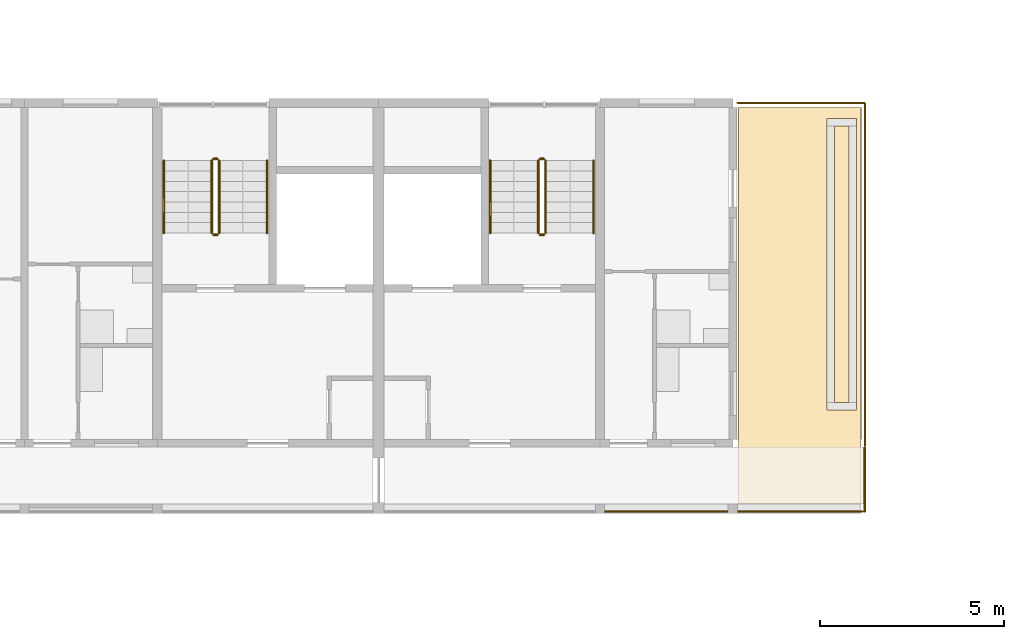
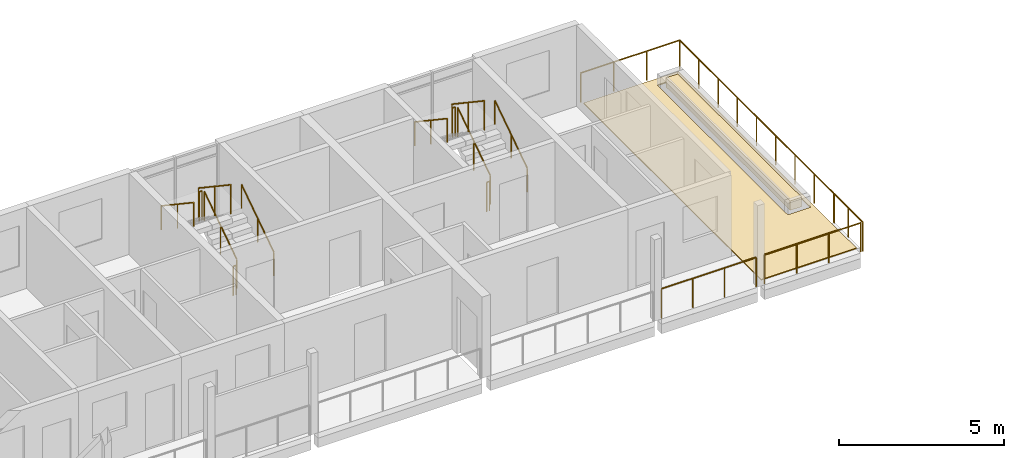
# One storey, part 91 of 94: 16 railings, 3 coverings.
"""IFC4 building model written with IfcOpenShell, lengths in metres."""

from ifc_helpers import new_model, si_unit, direction, frame, origin, origin_2d, place, context, subcontext, project, spatial, polyline, circle, outline, extrude, material, layer, layer_set, type_object, element, save


model = new_model("IFC4")

# Units and contexts
model_context = context("Model", 3, precision=1e-05, world=origin(), true_north=direction((0.0, 1.0)))
body_context = subcontext(model_context, "Body", "Model", "MODEL_VIEW")
ifc_project = project(units=[si_unit("LENGTHUNIT", "METRE"), si_unit("AREAUNIT", "SQUARE_METRE"), si_unit("VOLUMEUNIT", "CUBIC_METRE"), si_unit("PLANEANGLEUNIT", "RADIAN"), si_unit("MASSUNIT", "GRAM", prefix="KILO")], contexts=[model_context])

# Site, building, storey
site_placement = place(None, origin())
site = spatial("IfcSite", under=ifc_project, at=site_placement, CompositionType="ELEMENT")
building_placement = place(site_placement, origin())
building = spatial("IfcBuilding", under=site, at=building_placement, Name="Ridgestep Commons", CompositionType="ELEMENT")
storey_placement = place(building_placement, frame((0.0, 0.0, 24.0)))
storey = spatial("IfcBuildingStorey", under=building, at=storey_placement, Name="L08", CompositionType="ELEMENT", Elevation=24.0)

# Railings
ifc_material_1 = material(Name="Structural steel S355JR", Category="steel")
railing_type_1 = type_object("IfcRailingType", Name="Guard 1100", PredefinedType="GUARDRAIL", material=ifc_material_1)
railing_1_placement = place(storey_placement, frame((243.97900390625, 67.821044921875, 0.0)))
element("IfcRailing", 1, at=railing_1_placement, inside=storey, type_object=railing_type_1, Name="Guard TD-C6R2-GD", PredefinedType="GUARDRAIL", context=body_context, shape_type="SweptSolid", body=[
    extrude(circle(Radius=0.02392578125, at=origin_2d()), frame((0.0, 0.0, 1.076171875), z_axis=(0.0, 1.0, 0.0), x_axis=(-1.0, 0.0, 0.0)), (0.0, 0.0, 1.0), 9.303955078125),
    extrude(circle(Radius=0.02392578125, at=origin_2d()), frame((0.0, 9.303955078125, 1.076171875), z_axis=(-1.0, 0.0, 0.0), x_axis=(0.0, -1.0, 0.0)), (0.0, 0.0, 1.0), 3.4580078125),
    extrude(circle(Radius=0.02099609375, at=origin_2d()), origin(), (0.0, 0.0, 1.0), 1.052001953125),
    extrude(circle(Radius=0.02099609375, at=origin_2d()), frame((0.0, 1.1630859375, 0.0)), (0.0, 0.0, 1.0), 1.052001953125),
    extrude(circle(Radius=0.02099609375, at=origin_2d()), frame((0.0, 2.325927734375, 0.0)), (0.0, 0.0, 1.0), 1.052001953125),
    extrude(circle(Radius=0.02099609375, at=origin_2d()), frame((0.0, 3.489013671875, 0.0)), (0.0, 0.0, 1.0), 1.052001953125),
    extrude(circle(Radius=0.02099609375, at=origin_2d()), frame((0.0, 4.65185546875, 0.0)), (0.0, 0.0, 1.0), 1.052001953125),
    extrude(circle(Radius=0.02099609375, at=origin_2d()), frame((0.0, 5.81494140625, 0.0)), (0.0, 0.0, 1.0), 1.052001953125),
    extrude(circle(Radius=0.02099609375, at=origin_2d()), frame((0.0, 6.97802734375, 0.0)), (0.0, 0.0, 1.0), 1.052001953125),
    extrude(circle(Radius=0.02099609375, at=origin_2d()), frame((0.0, 8.140869140625, 0.0)), (0.0, 0.0, 1.0), 1.052001953125),
    extrude(circle(Radius=0.02099609375, at=origin_2d()), frame((0.0, 9.303955078125, 0.0)), (0.0, 0.0, 1.0), 1.052001953125),
    extrude(circle(Radius=0.02099609375, at=origin_2d()), frame((-1.152587890625, 9.303955078125, 0.0)), (0.0, 0.0, 1.0), 1.052001953125),
    extrude(circle(Radius=0.02099609375, at=origin_2d()), frame((-2.305419921875, 9.303955078125, 0.0)), (0.0, 0.0, 1.0), 1.052001953125),
    extrude(circle(Radius=0.02099609375, at=origin_2d()), frame((-3.4580078125, 9.303955078125, 0.0)), (0.0, 0.0, 1.0), 1.052001953125),
])
railing_2_placement = place(storey_placement, frame((236.946044921875, 66.050048828125, 0.0)))
element("IfcRailing", 2, at=railing_2_placement, inside=storey, type_object=railing_type_1, Name="Gallery guard C 08.6", PredefinedType="GUARDRAIL", context=body_context, shape_type="SweptSolid", body=[
    extrude(circle(Radius=0.02392578125, at=origin_2d()), frame((0.0, 0.0, 1.076171875), z_axis=(1.0, 0.0, 0.0), x_axis=(0.0, 1.0, 0.0)), (0.0, 0.0, 1.0), 3.307861328125),
    extrude(circle(Radius=0.02099609375, at=origin_2d()), origin(), (0.0, 0.0, 1.0), 1.052001953125),
    extrude(circle(Radius=0.02099609375, at=origin_2d()), frame((1.1025390625, 0.0, 0.0)), (0.0, 0.0, 1.0), 1.052001953125),
    extrude(circle(Radius=0.02099609375, at=origin_2d()), frame((2.205322265625, 0.0, 0.0)), (0.0, 0.0, 1.0), 1.052001953125),
    extrude(circle(Radius=0.02099609375, at=origin_2d()), frame((3.307861328125, 0.0, 0.0)), (0.0, 0.0, 1.0), 1.052001953125),
])
railing_3_placement = place(storey_placement, frame((240.5458984375, 66.050048828125, 0.0)))
element("IfcRailing", 3, at=railing_3_placement, inside=storey, type_object=railing_type_1, Name="Gallery guard C 08.7", PredefinedType="GUARDRAIL", context=body_context, shape_type="SweptSolid", body=[
    extrude(circle(Radius=0.02392578125, at=origin_2d()), frame((0.0, 0.0, 1.076171875), z_axis=(1.0, 0.0, 0.0), x_axis=(0.0, 1.0, 0.0)), (0.0, 0.0, 1.0), 3.3701171875),
    extrude(circle(Radius=0.02099609375, at=origin_2d()), origin(), (0.0, 0.0, 1.0), 1.052001953125),
    extrude(circle(Radius=0.02099609375, at=origin_2d()), frame((1.123291015625, 0.0, 0.0)), (0.0, 0.0, 1.0), 1.052001953125),
    extrude(circle(Radius=0.02099609375, at=origin_2d()), frame((2.246826171875, 0.0, 0.0)), (0.0, 0.0, 1.0), 1.052001953125),
    extrude(circle(Radius=0.02099609375, at=origin_2d()), frame((3.3701171875, 0.0, 0.0)), (0.0, 0.0, 1.0), 1.052001953125),
])
railing_4_placement = place(storey_placement, frame((243.97900390625, 66.050048828125, 0.0)))
element("IfcRailing", 4, at=railing_4_placement, inside=storey, type_object=railing_type_1, Name="Gallery end guard C 08.7E", PredefinedType="GUARDRAIL", context=body_context, shape_type="SweptSolid", body=[
    extrude(circle(Radius=0.02392578125, at=origin_2d()), frame((0.0, 0.0, 1.076171875), z_axis=(0.0, 1.0, 0.0), x_axis=(-1.0, 0.0, 0.0)), (0.0, 0.0, 1.0), 1.72900390625),
    extrude(circle(Radius=0.02099609375, at=origin_2d()), origin(), (0.0, 0.0, 1.0), 1.052001953125),
    extrude(circle(Radius=0.02099609375, at=origin_2d()), frame((0.0, 0.864501953125, 0.0)), (0.0, 0.0, 1.0), 1.052001953125),
    extrude(circle(Radius=0.02099609375, at=origin_2d()), frame((0.0, 1.72900390625, 0.0)), (0.0, 0.0, 1.0), 1.052001953125),
])

# Covering
ifc_material_2 = material(Name="Planting soil")
ifc_layer_1 = layer(ifc_material_2, 0.35009765625)
ifc_layer_set_1 = layer_set([ifc_layer_1], Name="Planting soil 350")
covering_type_1 = type_object("IfcCoveringType", Name="Planting soil 350", PredefinedType="FLOORING", material=ifc_layer_set_1)
covering_1_placement = place(storey_placement, frame((0.0, 0.0, 0.010009765625)))
element("IfcCovering", 5, at=covering_1_placement, inside=storey, type_object=covering_type_1, Name="Planting soil C6R2", PredefinedType="FLOORING", context=body_context, shape_type="SweptSolid", body=[
    extrude(outline(polyline([(243.14990234375, 69.0), (243.550048828125, 69.0), (243.550048828125, 76.5), (243.14990234375, 76.5), (243.14990234375, 69.0)])), origin(), (0.0, 0.0, 1.0), 0.35009765625),
])

# Railings
ifc_material_3 = material(Name="Structural steel S355JR", Category="steel")
railing_type_2 = type_object("IfcRailingType", Name="Stair guard 1100", PredefinedType="GUARDRAIL", material=ifc_material_3)
railing_5_placement = place(storey_placement, frame((226.47509765625, 73.60009765625, 0.1875)))
element("IfcRailing", 6, at=railing_5_placement, inside=storey, type_object=railing_type_2, Name="L08 C5C stair guard 1", PredefinedType="GUARDRAIL", context=body_context, shape_type="SweptSolid", body=[
    extrude(circle(Radius=0.02392578125, at=origin_2d()), frame((0.0, 0.0, 1.076171875), z_axis=(0.0, 0.830902050051, 0.556418712142), x_axis=(-1.0, 0.0, 0.0)), (0.0, 0.0, 1.0), 2.35888671875),
    extrude(circle(Radius=0.02099609375, at=origin_2d()), origin(), (0.0, 0.0, 1.0), 1.052001953125),
    extrude(circle(Radius=0.02099609375, at=origin_2d()), frame((0.0, 0.97998046875, 0.65625)), (0.0, 0.0, 1.0), 1.052001953125),
    extrude(circle(Radius=0.02099609375, at=origin_2d()), frame((0.0, 1.9599609375, 1.3125)), (0.0, 0.0, 1.0), 1.052001953125),
])
railing_6_placement = place(storey_placement, frame((226.425048828125, 75.610107421875, 1.5)))
element("IfcRailing", 7, at=railing_6_placement, inside=storey, type_object=railing_type_2, Name="L08 C5C stair guard 2", PredefinedType="GUARDRAIL", context=body_context, shape_type="SweptSolid", body=[
    extrude(circle(Radius=0.02392578125, at=origin_2d()), frame((0.0, 0.0, 1.076171875), z_axis=(-1.0, 0.0, 0.0), x_axis=(0.0, -1.0, 0.0)), (0.0, 0.0, 1.0), 0.10009765625),
    extrude(circle(Radius=0.02099609375, at=origin_2d()), origin(), (0.0, 0.0, 1.0), 1.052001953125),
    extrude(circle(Radius=0.02099609375, at=origin_2d()), frame((-0.10009765625, 0.0, 0.0)), (0.0, 0.0, 1.0), 1.052001953125),
])
railing_7_placement = place(storey_placement, frame((226.27490234375, 75.56005859375, 1.6875)))
element("IfcRailing", 8, at=railing_7_placement, inside=storey, type_object=railing_type_2, Name="L08 C5C stair guard 3", PredefinedType="GUARDRAIL", context=body_context, shape_type="SweptSolid", body=[
    extrude(circle(Radius=0.02392578125, at=origin_2d()), frame((0.0, 0.0, 1.076171875), z_axis=(0.0, -0.830902050051, 0.556418712142), x_axis=(1.0, 0.0, 0.0)), (0.0, 0.0, 1.0), 2.35888671875),
    extrude(circle(Radius=0.02099609375, at=origin_2d()), origin(), (0.0, 0.0, 1.0), 1.052001953125),
    extrude(circle(Radius=0.02099609375, at=origin_2d()), frame((0.0, -0.97998046875, 0.65625)), (0.0, 0.0, 1.0), 1.052001953125),
    extrude(circle(Radius=0.02099609375, at=origin_2d()), frame((0.0, -1.9599609375, 1.3125)), (0.0, 0.0, 1.0), 1.052001953125),
])
railing_8_placement = place(storey_placement, frame((226.425048828125, 73.550048828125, 0.0)))
element("IfcRailing", 9, at=railing_8_placement, inside=storey, type_object=railing_type_2, Name="L08 C5C stair guard 4", PredefinedType="GUARDRAIL", context=body_context, shape_type="SweptSolid", body=[
    extrude(circle(Radius=0.02392578125, at=origin_2d()), frame((0.0, 0.0, 1.076171875), z_axis=(-1.0, 0.0, 0.0), x_axis=(0.0, -1.0, 0.0)), (0.0, 0.0, 1.0), 0.10009765625),
    extrude(circle(Radius=0.02099609375, at=origin_2d()), origin(), (0.0, 0.0, 1.0), 1.052001953125),
    extrude(circle(Radius=0.02099609375, at=origin_2d()), frame((-0.10009765625, 0.0, 0.0)), (0.0, 0.0, 1.0), 1.052001953125),
])
railing_9_placement = place(storey_placement, frame((235.324951171875, 73.60009765625, 0.1875)))
element("IfcRailing", 10, at=railing_9_placement, inside=storey, type_object=railing_type_2, Name="L08 C6C stair guard 1", PredefinedType="GUARDRAIL", context=body_context, shape_type="SweptSolid", body=[
    extrude(circle(Radius=0.02392578125, at=origin_2d()), frame((0.0, 0.0, 1.076171875), z_axis=(0.0, 0.830902050051, 0.556418712142), x_axis=(-1.0, 0.0, 0.0)), (0.0, 0.0, 1.0), 2.35888671875),
    extrude(circle(Radius=0.02099609375, at=origin_2d()), origin(), (0.0, 0.0, 1.0), 1.052001953125),
    extrude(circle(Radius=0.02099609375, at=origin_2d()), frame((0.0, 0.97998046875, 0.65625)), (0.0, 0.0, 1.0), 1.052001953125),
    extrude(circle(Radius=0.02099609375, at=origin_2d()), frame((0.0, 1.9599609375, 1.3125)), (0.0, 0.0, 1.0), 1.052001953125),
])
railing_10_placement = place(storey_placement, frame((235.27490234375, 75.610107421875, 1.5)))
element("IfcRailing", 11, at=railing_10_placement, inside=storey, type_object=railing_type_2, Name="L08 C6C stair guard 2", PredefinedType="GUARDRAIL", context=body_context, shape_type="SweptSolid", body=[
    extrude(circle(Radius=0.02392578125, at=origin_2d()), frame((0.0, 0.0, 1.076171875), z_axis=(-1.0, 0.0, 0.0), x_axis=(0.0, -1.0, 0.0)), (0.0, 0.0, 1.0), 0.099853515625),
    extrude(circle(Radius=0.02099609375, at=origin_2d()), origin(), (0.0, 0.0, 1.0), 1.052001953125),
    extrude(circle(Radius=0.02099609375, at=origin_2d()), frame((-0.099853515625, 0.0, 0.0)), (0.0, 0.0, 1.0), 1.052001953125),
])
railing_11_placement = place(storey_placement, frame((235.125, 75.56005859375, 1.6875)))
element("IfcRailing", 12, at=railing_11_placement, inside=storey, type_object=railing_type_2, Name="L08 C6C stair guard 3", PredefinedType="GUARDRAIL", context=body_context, shape_type="SweptSolid", body=[
    extrude(circle(Radius=0.02392578125, at=origin_2d()), frame((0.0, 0.0, 1.076171875), z_axis=(0.0, -0.830902050051, 0.556418712142), x_axis=(1.0, 0.0, 0.0)), (0.0, 0.0, 1.0), 2.35888671875),
    extrude(circle(Radius=0.02099609375, at=origin_2d()), origin(), (0.0, 0.0, 1.0), 1.052001953125),
    extrude(circle(Radius=0.02099609375, at=origin_2d()), frame((0.0, -0.97998046875, 0.65625)), (0.0, 0.0, 1.0), 1.052001953125),
    extrude(circle(Radius=0.02099609375, at=origin_2d()), frame((0.0, -1.9599609375, 1.3125)), (0.0, 0.0, 1.0), 1.052001953125),
])
railing_12_placement = place(storey_placement, frame((235.27490234375, 73.550048828125, 0.0)))
element("IfcRailing", 13, at=railing_12_placement, inside=storey, type_object=railing_type_2, Name="L08 C6C stair guard 4", PredefinedType="GUARDRAIL", context=body_context, shape_type="SweptSolid", body=[
    extrude(circle(Radius=0.02392578125, at=origin_2d()), frame((0.0, 0.0, 1.076171875), z_axis=(-1.0, 0.0, 0.0), x_axis=(0.0, -1.0, 0.0)), (0.0, 0.0, 1.0), 0.099853515625),
    extrude(circle(Radius=0.02099609375, at=origin_2d()), origin(), (0.0, 0.0, 1.0), 1.052001953125),
    extrude(circle(Radius=0.02099609375, at=origin_2d()), frame((-0.099853515625, 0.0, 0.0)), (0.0, 0.0, 1.0), 1.052001953125),
])
ifc_material_4 = material(Name="Structural steel S355JR", Category="steel")
railing_type_3 = type_object("IfcRailingType", Name="Stair handrail 900", PredefinedType="HANDRAIL", material=ifc_material_4)
railing_13_placement = place(storey_placement, frame((227.77490234375, 73.60009765625, 0.1875)))
element("IfcRailing", 14, at=railing_13_placement, inside=storey, type_object=railing_type_3, Name="L08 C5C stair handrail 1", PredefinedType="HANDRAIL", context=body_context, shape_type="SweptSolid", body=[
    extrude(circle(Radius=0.02392578125, at=origin_2d()), frame((0.0, 0.0, 0.8759765625), z_axis=(0.0, 0.830902050051, 0.556418712142), x_axis=(-1.0, 0.0, 0.0)), (0.0, 0.0, 1.0), 2.35888671875),
    extrude(circle(Radius=0.02099609375, at=origin_2d()), origin(), (0.0, 0.0, 1.0), 0.851806640625),
    extrude(circle(Radius=0.02099609375, at=origin_2d()), frame((0.0, 0.97998046875, 0.65625)), (0.0, 0.0, 1.0), 0.851806640625),
    extrude(circle(Radius=0.02099609375, at=origin_2d()), frame((0.0, 1.9599609375, 1.3125)), (0.0, 0.0, 1.0), 0.851806640625),
])
railing_14_placement = place(storey_placement, frame((224.97509765625, 75.56005859375, 1.6875)))
element("IfcRailing", 15, at=railing_14_placement, inside=storey, type_object=railing_type_3, Name="L08 C5C stair handrail 2", PredefinedType="HANDRAIL", context=body_context, shape_type="SweptSolid", body=[
    extrude(circle(Radius=0.02392578125, at=origin_2d()), frame((0.0, 0.0, 0.8759765625), z_axis=(0.0, -0.830902050051, 0.556418712142), x_axis=(1.0, 0.0, 0.0)), (0.0, 0.0, 1.0), 2.35888671875),
    extrude(circle(Radius=0.02099609375, at=origin_2d()), origin(), (0.0, 0.0, 1.0), 0.851806640625),
    extrude(circle(Radius=0.02099609375, at=origin_2d()), frame((0.0, -0.97998046875, 0.65625)), (0.0, 0.0, 1.0), 0.851806640625),
    extrude(circle(Radius=0.02099609375, at=origin_2d()), frame((0.0, -1.9599609375, 1.3125)), (0.0, 0.0, 1.0), 0.851806640625),
])
railing_15_placement = place(storey_placement, frame((236.625, 73.60009765625, 0.1875)))
element("IfcRailing", 16, at=railing_15_placement, inside=storey, type_object=railing_type_3, Name="L08 C6C stair handrail 1", PredefinedType="HANDRAIL", context=body_context, shape_type="SweptSolid", body=[
    extrude(circle(Radius=0.02392578125, at=origin_2d()), frame((0.0, 0.0, 0.8759765625), z_axis=(0.0, 0.830902050051, 0.556418712142), x_axis=(-1.0, 0.0, 0.0)), (0.0, 0.0, 1.0), 2.35888671875),
    extrude(circle(Radius=0.02099609375, at=origin_2d()), origin(), (0.0, 0.0, 1.0), 0.851806640625),
    extrude(circle(Radius=0.02099609375, at=origin_2d()), frame((0.0, 0.97998046875, 0.65625)), (0.0, 0.0, 1.0), 0.851806640625),
    extrude(circle(Radius=0.02099609375, at=origin_2d()), frame((0.0, 1.9599609375, 1.3125)), (0.0, 0.0, 1.0), 0.851806640625),
])
railing_16_placement = place(storey_placement, frame((233.824951171875, 75.56005859375, 1.6875)))
element("IfcRailing", 17, at=railing_16_placement, inside=storey, type_object=railing_type_3, Name="L08 C6C stair handrail 2", PredefinedType="HANDRAIL", context=body_context, shape_type="SweptSolid", body=[
    extrude(circle(Radius=0.02392578125, at=origin_2d()), frame((0.0, 0.0, 0.8759765625), z_axis=(0.0, -0.830902050051, 0.556418712142), x_axis=(1.0, 0.0, 0.0)), (0.0, 0.0, 1.0), 2.35888671875),
    extrude(circle(Radius=0.02099609375, at=origin_2d()), origin(), (0.0, 0.0, 1.0), 0.851806640625),
    extrude(circle(Radius=0.02099609375, at=origin_2d()), frame((0.0, -0.97998046875, 0.65625)), (0.0, 0.0, 1.0), 0.851806640625),
    extrude(circle(Radius=0.02099609375, at=origin_2d()), frame((0.0, -1.9599609375, 1.3125)), (0.0, 0.0, 1.0), 0.851806640625),
])

# Coverings
ifc_material_5 = material(Name="Bitumen membrane, two layer")
ifc_layer_2 = layer(ifc_material_5, 0.010009765625)
ifc_layer_set_2 = layer_set([ifc_layer_2], Name="Terrace membrane 10")
covering_type_2 = type_object("IfcCoveringType", Name="Terrace membrane 10", PredefinedType="ROOFING", material=ifc_layer_set_2)
covering_2_placement = place(storey_placement, origin())
element("IfcCovering", 18, at=covering_2_placement, inside=storey, type_object=covering_type_2, Name="Terrace membrane C6R2", PredefinedType="ROOFING", context=body_context, shape_type="SweptSolid", body=[
    extrude(outline(polyline([(243.875, 66.25), (243.875, 77.0), (240.550048828125, 77.0), (240.550048828125, 66.25), (243.875, 66.25)]), holes=[polyline([(243.75, 68.800048828125), (243.75, 76.699951171875), (242.949951171875, 76.699951171875), (242.949951171875, 68.800048828125), (243.75, 68.800048828125)])]), origin(), (0.0, 0.0, 1.0), 0.010009765625),
])
ifc_material_6 = material(Name="Concrete paving slab", Category="concrete")
ifc_layer_3 = layer(ifc_material_6, 0.030029296875)
ifc_layer_set_3 = layer_set([ifc_layer_3], Name="Terrace paving 30")
covering_type_3 = type_object("IfcCoveringType", Name="Terrace paving 30", PredefinedType="FLOORING", material=ifc_layer_set_3)
covering_3_placement = place(storey_placement, frame((0.0, 0.0, 0.010009765625)))
element("IfcCovering", 19, at=covering_3_placement, inside=storey, type_object=covering_type_3, Name="Terrace paving C6R2", PredefinedType="FLOORING", context=body_context, shape_type="SweptSolid", body=[
    extrude(outline(polyline([(243.875, 66.25), (243.875, 77.0), (240.550048828125, 77.0), (240.550048828125, 66.25), (243.875, 66.25)]), holes=[polyline([(243.75, 68.800048828125), (243.75, 76.699951171875), (242.949951171875, 76.699951171875), (242.949951171875, 68.800048828125), (243.75, 68.800048828125)])]), origin(), (0.0, 0.0, 1.0), 0.030029296875),
])

save(model, "model.ifc")
